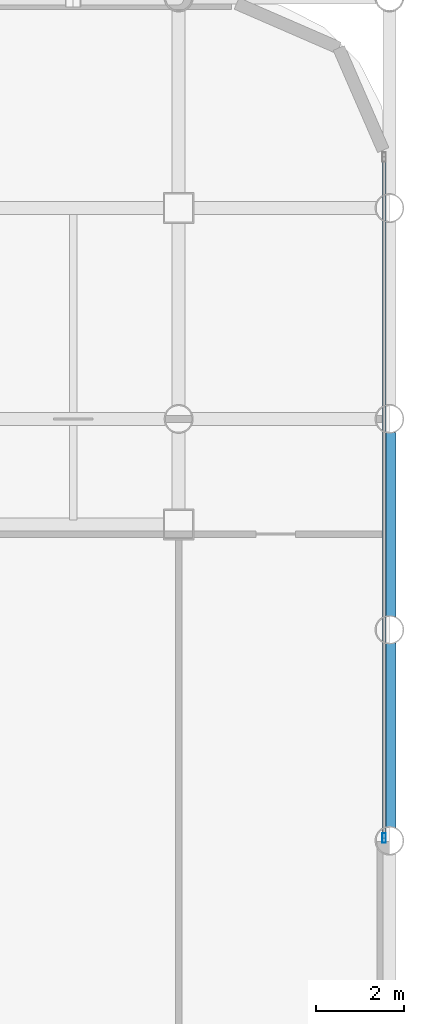
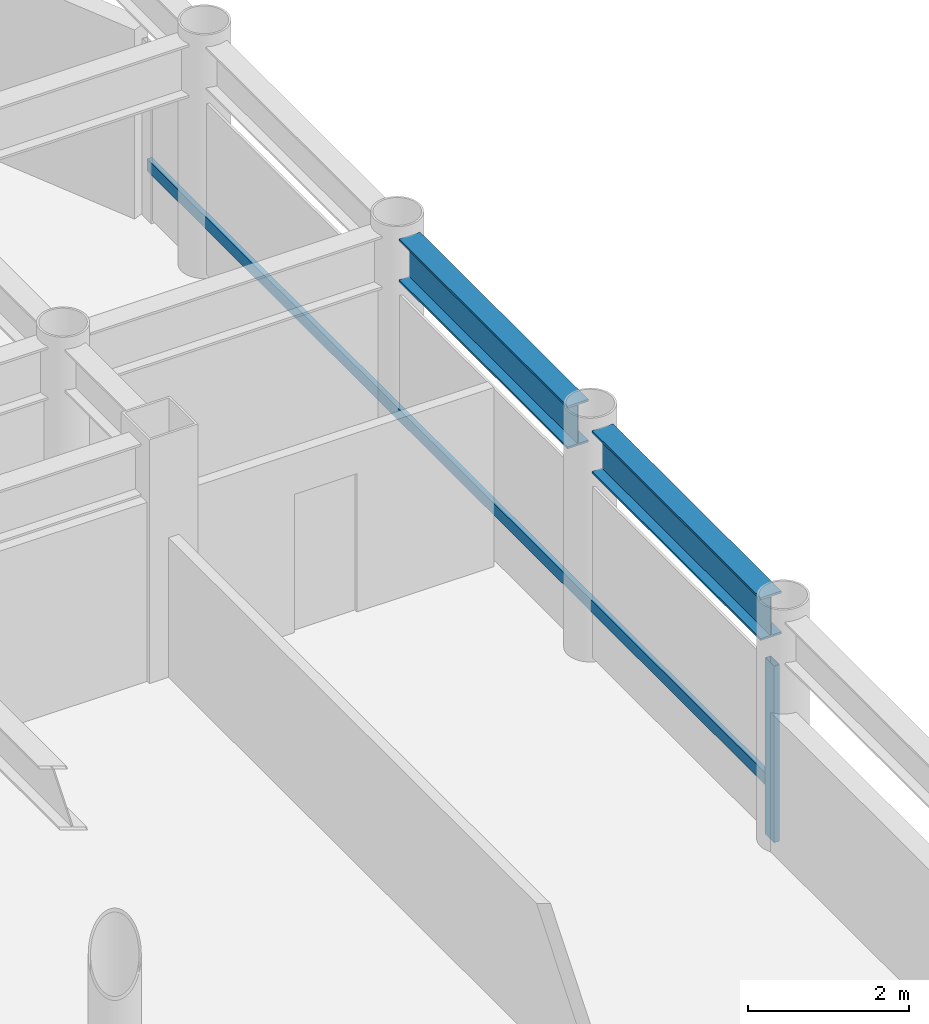
# One storey, part 8 of 19: 2 beams, 2 members, 1 element without a shape of its own.
"""IFC4 building model written with IfcOpenShell, lengths in metres."""

from ifc_helpers import new_model, si_unit, direction, frame, origin, origin_2d, place, context, subcontext, project, spatial, hollow_rectangle, i_section, extrude, material, layer, layer_set, material_profile, profile_set, type_object, element, aggregate, save


model = new_model("IFC4")

# Units and contexts
model_context = context("Model", 3, precision=1e-05, world=origin(), true_north=direction((0.0, 1.0)))
body_context = subcontext(model_context, "Body", "Model", "MODEL_VIEW")
ifc_project = project(units=[si_unit("LENGTHUNIT", "METRE"), si_unit("AREAUNIT", "SQUARE_METRE"), si_unit("VOLUMEUNIT", "CUBIC_METRE"), si_unit("PLANEANGLEUNIT", "RADIAN"), si_unit("MASSUNIT", "GRAM", prefix="KILO")], contexts=[model_context])

# Site, building, storey
site_placement = place(None, origin())
site = spatial("IfcSite", under=ifc_project, at=site_placement, CompositionType="ELEMENT")
building_placement = place(site_placement, origin())
building = spatial("IfcBuilding", under=site, at=building_placement, Name="Kallvorn Hotel Tower", CompositionType="ELEMENT")
storey_placement = place(building_placement, frame((0.0, 0.0, 169.199951171875)))
storey = spatial("IfcBuildingStorey", under=building, at=storey_placement, Name="L42", CompositionType="ELEMENT", Elevation=169.199951171875)

# Beams
ifc_material_1 = material(Name="Structural steel S355JR", Category="steel")
ifc_material_profile_1 = material_profile(ifc_material_1, i_section(OverallWidth=0.300048828125, OverallDepth=0.64990234375, WebThickness=0.01611328125, FlangeThickness=0.031005859375, at=origin_2d()), Name="HE 650 B")
ifc_profile_set_1 = profile_set([ifc_material_profile_1], Name="Structural steel S355JR")
beam_type = type_object("IfcBeamType", Name="BM_HE650B", PredefinedType="BEAM", material=ifc_profile_set_1)
beam_1_placement = place(storey_placement, frame((28.800048828125, 0.304931640625, 3.195068359375), z_axis=(0.0, 1.0, 0.0), x_axis=(-1.0, 0.0, 0.0)))
element("IfcBeam", 1, at=beam_1_placement, inside=storey, type_object=beam_type, Name="L43 Primary Y-Girder 147", PredefinedType="BEAM", context=body_context, shape_type="SweptSolid", body=[
    extrude(i_section(OverallWidth=0.300048828125, OverallDepth=0.64990234375, WebThickness=0.01611328125, FlangeThickness=0.031005859375, at=origin_2d()), origin(), (0.0, 0.0, 1.0), 4.190185546875),
])
beam_2_placement = place(storey_placement, frame((28.800048828125, 5.10498046875, 3.195068359375), z_axis=(0.0, 1.0, 0.0), x_axis=(-1.0, 0.0, 0.0)))
element("IfcBeam", 2, at=beam_2_placement, inside=storey, type_object=beam_type, Name="L43 Primary Y-Girder 148", PredefinedType="BEAM", context=body_context, shape_type="SweptSolid", body=[
    extrude(i_section(OverallWidth=0.300048828125, OverallDepth=0.64990234375, WebThickness=0.01611328125, FlangeThickness=0.031005859375, at=origin_2d()), origin(), (0.0, 0.0, 1.0), 4.18994140625),
])

# Curtain wall, members
ifc_material_2 = material(Name="Thermally broken black-anodised aluminium AA 6063-T6", Category="aluminium")
ifc_layer = layer(ifc_material_2, 0.2099609375)
ifc_layer_set = layer_set([ifc_layer], Name="CW_SYS_4_HOTEL_MID")
curtain_wall_type = type_object("IfcCurtainWallType", Name="CW_SYS_4_HOTEL_MID", PredefinedType="USERDEFINED", material=ifc_layer_set)
curtain_wall_placement = place(storey_placement, origin())
curtain_wall = element("IfcCurtainWall", 3, at=curtain_wall_placement, inside=storey, type_object=curtain_wall_type, Name="L42 Dark-Glass Curtain Wall CW-L42-EN", ObjectType="UNITISED CURTAIN WALL", PredefinedType="USERDEFINED")
ifc_material_3 = material(Name="Thermally broken black-anodised aluminium AA 6063-T6", Category="aluminium")
ifc_material_profile_2 = material_profile(ifc_material_3, hollow_rectangle(XDim=0.080078125, YDim=0.219970703125, WallThickness=0.0048828125, at=origin_2d()), Name="MUL 220x80")
ifc_profile_set_2 = profile_set([ifc_material_profile_2], Name="Thermally broken black-anodised aluminium AA 6063-T6")
member_type_1 = type_object("IfcMemberType", Name="CW_MULLION_220x80", PredefinedType="MULLION", material=ifc_profile_set_2)
member_1_placement = place(storey_placement, frame((28.679931640625, 0.06005859375, 0.02001953125), z_axis=(0.0, 0.0, 1.0), x_axis=(1.0, 0.0, 0.0)))
member_1 = element("IfcMember", 4, at=member_1_placement, type_object=member_type_1, Name="CW-L42-EN Mullion 00", PredefinedType="MULLION", context=body_context, shape_type="SweptSolid", body=[
    extrude(hollow_rectangle(XDim=0.080078125, YDim=0.219970703125, WallThickness=0.0048828125, at=origin_2d()), origin(), (0.0, 0.0, 1.0), 2.679931640625),
])
ifc_material_4 = material(Name="Thermally broken black-anodised aluminium AA 6063-T6", Category="aluminium")
ifc_material_profile_3 = material_profile(ifc_material_4, hollow_rectangle(XDim=0.070068359375, YDim=0.179931640625, WallThickness=0.00390625, at=origin_2d()), Name="TRN 180x70")
ifc_profile_set_3 = profile_set([ifc_material_profile_3], Name="Thermally broken black-anodised aluminium AA 6063-T6")
member_type_2 = type_object("IfcMemberType", Name="CW_TRANSOM_180x70", PredefinedType="USERDEFINED", material=ifc_profile_set_3)
member_2_placement = place(storey_placement, frame((28.679931640625, 0.06005859375, 0.85009765625), z_axis=(0.0, 1.0, 0.0), x_axis=(-1.0, 0.0, 0.0)))
member_2 = element("IfcMember", 5, at=member_2_placement, type_object=member_type_2, Name="CW-L42-EN Transom 00M", ObjectType="TRANSOM", PredefinedType="USERDEFINED", context=body_context, shape_type="SweptSolid", body=[
    extrude(hollow_rectangle(XDim=0.070068359375, YDim=0.179931640625, WallThickness=0.00390625, at=origin_2d()), origin(), (0.0, 0.0, 1.0), 15.5),
])
aggregate(curtain_wall, [member_1, member_2])

save(model, "model.ifc")
